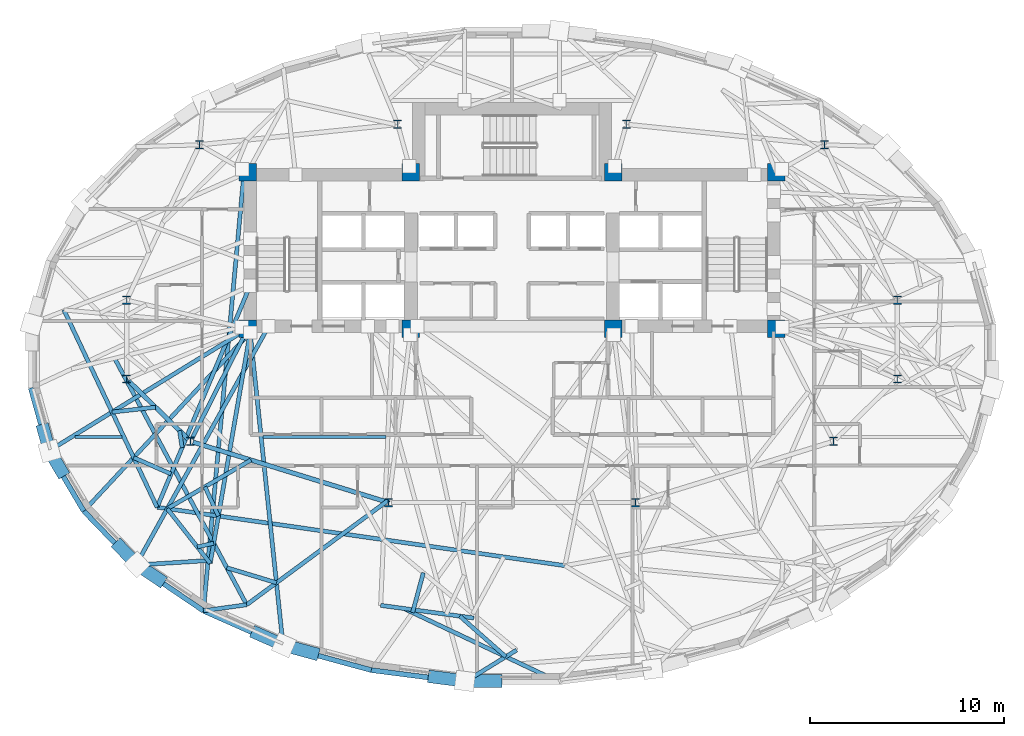
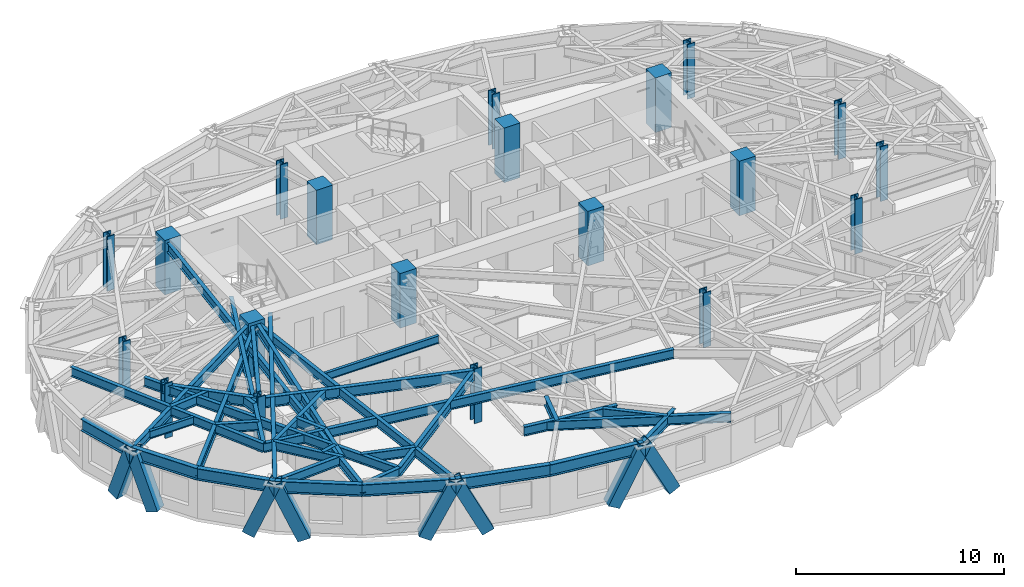
# One storey, part 1 of 15: 38 beams, 20 columns, 8 members.
"""IFC4 building model written with IfcOpenShell, lengths in metres."""

from ifc_helpers import new_model, si_unit, direction, frame, origin, origin_2d, place, context, subcontext, project, spatial, rectangle, hollow_rectangle, i_section, extrude, material, material_profile, profile_set, type_object, element, save


model = new_model("IFC4")

# Units and contexts
model_context = context("Model", 3, precision=1e-05, world=origin(), true_north=direction((0.0, 1.0)))
body_context = subcontext(model_context, "Body", "Model", "MODEL_VIEW")
ifc_project = project(units=[si_unit("LENGTHUNIT", "METRE"), si_unit("AREAUNIT", "SQUARE_METRE"), si_unit("VOLUMEUNIT", "CUBIC_METRE"), si_unit("PLANEANGLEUNIT", "RADIAN"), si_unit("MASSUNIT", "GRAM", prefix="KILO")], contexts=[model_context])

# Site, building, storey
site_placement = place(None, origin())
site = spatial("IfcSite", under=ifc_project, at=site_placement, CompositionType="ELEMENT")
building_placement = place(site_placement, origin())
building = spatial("IfcBuilding", under=site, at=building_placement, Name="Keldmark Tower", CompositionType="ELEMENT")
storey_placement = place(building_placement, frame((0.0, 0.0, 163.0)))
storey = spatial("IfcBuildingStorey", under=building, at=storey_placement, Name="L44", CompositionType="ELEMENT", Elevation=163.0)

# Columns
ifc_material_1 = material(Name="Concrete C50/60", Category="concrete")
ifc_material_profile_1 = material_profile(ifc_material_1, rectangle(XDim=0.89990234375, YDim=0.89990234375, at=origin_2d()), Name="RC900X900")
ifc_profile_set_1 = profile_set([ifc_material_profile_1], Name="Concrete C50/60")
column_type_1 = type_object("IfcColumnType", Name="Core Boundary Column RC900", PredefinedType="COLUMN", material=ifc_profile_set_1)
for number, where, z_axis, x_axis, name in (
    (1, (-13.60009765625, 1.39990234375, 0.0), (0.0, 0.0, 1.0), (1.0, 0.0, 0.0), "L44 Core Boundary Column CC-W1"),
    (2, (-13.60009765625, 9.449951171875, 0.0), (0.0, 0.0, 1.0), (1.0, 0.0, 0.0), "L44 Core Boundary Column CC-W2"),
    (3, (-5.199951171875, 1.39990234375, 0.0), (0.0, 0.0, 1.0), (1.0, 0.0, 0.0), "L44 Core Boundary Column CC-W3"),
    (4, (-5.199951171875, 9.449951171875, 0.0), (0.0, 0.0, 1.0), (1.0, 0.0, 0.0), "L44 Core Boundary Column CC-W4"),
    (5, (5.199951171875, 1.39990234375, 0.0), (0.0, 0.0, 1.0), (1.0, 0.0, 0.0), "L44 Core Boundary Column CC-E1"),
    (6, (5.199951171875, 9.449951171875, 0.0), (0.0, 0.0, 1.0), (1.0, 0.0, 0.0), "L44 Core Boundary Column CC-E2"),
    (7, (13.60009765625, 1.39990234375, 0.0), (0.0, 0.0, 1.0), (1.0, 0.0, 0.0), "L44 Core Boundary Column CC-E3"),
    (8, (13.60009765625, 9.449951171875, 0.0), (0.0, 0.0, 1.0), (1.0, 0.0, 0.0), "L44 Core Boundary Column CC-E4"),
):
    element("IfcColumn", number, at=place(storey_placement, frame(where, z_axis=z_axis, x_axis=x_axis)), inside=storey, type_object=column_type_1, Name=name, PredefinedType="COLUMN", context=body_context, shape_type="SweptSolid", body=[
        extrude(rectangle(XDim=0.89990234375, YDim=0.89990234375, at=origin_2d()), origin(), (0.0, 0.0, 1.0), 3.199951171875),
    ])
ifc_material_2 = material(Name="Steel ASTM A992 Grade 50", Category="steel")
ifc_material_profile_2 = material_profile(ifc_material_2, i_section(OverallWidth=0.412109375, OverallDepth=0.43505859375, WebThickness=0.035888671875, FlangeThickness=0.057373046875, at=origin_2d()), Name="W14X311")
ifc_profile_set_2 = profile_set([ifc_material_profile_2], Name="Steel ASTM A992 Grade 50")
column_type_2 = type_object("IfcColumnType", Name="Tower Gravity Column W14X311", PredefinedType="COLUMN", material=ifc_profile_set_2)
for number, where, z_axis, x_axis, name in (
    (9, (19.828369140625, 2.869140625, 0.0), (0.0, 0.0, 1.0), (1.0, 0.0, 0.0), "L44 Tower Gravity Column TC-E1"),
    (10, (16.08154296875, 10.861083984375, 0.0), (0.0, 0.0, 1.0), (1.0, 0.0, 0.0), "L44 Tower Gravity Column TC-E4"),
    (11, (5.880126953125, 11.915283203125, 0.0), (0.0, 0.0, 1.0), (1.0, 0.0, 0.0), "L44 Tower Gravity Column TC-N2"),
    (12, (-5.880126953125, 11.915283203125, 0.0), (0.0, 0.0, 1.0), (1.0, 0.0, 0.0), "L44 Tower Gravity Column TC-N1"),
    (13, (-16.08154296875, 10.861083984375, 0.0), (0.0, 0.0, 1.0), (1.0, 0.0, 0.0), "L44 Tower Gravity Column TC-W4"),
    (14, (-19.828369140625, 2.869140625, 0.0), (0.0, 0.0, 1.0), (1.0, 0.0, 0.0), "L44 Tower Gravity Column TC-W1"),
    (15, (-19.828369140625, -1.189208984375, 0.0), (0.0, 0.0, 1.0), (1.0, 0.0, 0.0), "L44 Tower Gravity Column TC-W5"),
    (16, (-16.546630859375, -4.3984375, 0.0), (0.0, 0.0, 1.0), (1.0, 0.0, 0.0), "L44 Tower Gravity Column TC-W2"),
    (17, (-6.351318359375, -7.546142578125, 0.0), (0.0, 0.0, 1.0), (1.0, 0.0, 0.0), "L44 Tower Gravity Column TC-W3"),
    (18, (6.351318359375, -7.546142578125, 0.0), (0.0, 0.0, 1.0), (1.0, 0.0, 0.0), "L44 Tower Gravity Column TC-E3"),
    (19, (16.546630859375, -4.3984375, 0.0), (0.0, 0.0, 1.0), (1.0, 0.0, 0.0), "L44 Tower Gravity Column TC-E2"),
    (20, (19.828369140625, -1.189208984375, 0.0), (0.0, 0.0, 1.0), (1.0, 0.0, 0.0), "L44 Tower Gravity Column TC-E5"),
):
    element("IfcColumn", number, at=place(storey_placement, frame(where, z_axis=z_axis, x_axis=x_axis)), inside=storey, type_object=column_type_2, Name=name, PredefinedType="COLUMN", context=body_context, shape_type="SweptSolid", body=[
        extrude(i_section(OverallWidth=0.412109375, OverallDepth=0.43505859375, WebThickness=0.035888671875, FlangeThickness=0.057373046875, at=origin_2d()), origin(), (0.0, 0.0, 1.0), 3.199951171875),
    ])

# Beams
ifc_material_3 = material(Name="Steel ASTM A992 Grade 50", Category="steel")
ifc_material_profile_3 = material_profile(ifc_material_3, i_section(OverallWidth=0.153076171875, OverallDepth=0.455078125, WebThickness=0.008056640625, FlangeThickness=0.01318359375, at=origin_2d()), Name="W18X40")
ifc_profile_set_3 = profile_set([ifc_material_profile_3], Name="Steel ASTM A992 Grade 50")
beam_type_1 = type_object("IfcBeamType", Name="Composite Floor Joist W18X40", PredefinedType="JOIST", material=ifc_profile_set_3)
beam_1_placement = place(storey_placement, frame((-22.488525390625, -4.179931640625, 2.79248046875), z_axis=(1.0, 0.0, 0.0), x_axis=(0.0, 1.0, 0.0)))
element("IfcBeam", 21, at=beam_1_placement, inside=storey, type_object=beam_type_1, Name="L44 Composite Floor Joist J01", PredefinedType="JOIST", context=body_context, shape_type="SweptSolid", body=[
    extrude(i_section(OverallWidth=0.153076171875, OverallDepth=0.455078125, WebThickness=0.008056640625, FlangeThickness=0.01318359375, at=origin_2d()), origin(), (0.0, 0.0, 1.0), 2.413330078125),
])
beam_2_placement = place(storey_placement, frame((-12.81298828125, -4.179931640625, 2.79248046875), z_axis=(1.0, 0.0, 0.0), x_axis=(0.0, 1.0, 0.0)))
element("IfcBeam", 22, at=beam_2_placement, inside=storey, type_object=beam_type_1, Name="L44 Composite Floor Joist J02", PredefinedType="JOIST", context=body_context, shape_type="SweptSolid", body=[
    extrude(i_section(OverallWidth=0.153076171875, OverallDepth=0.455078125, WebThickness=0.008056640625, FlangeThickness=0.01318359375, at=origin_2d()), origin(), (0.0, 0.0, 1.0), 6.324951171875),
])

# Members
ifc_material_4 = material(Name="Steel ASTM A572 Grade 50", Category="steel")
ifc_material_profile_4 = material_profile(ifc_material_4, hollow_rectangle(XDim=0.64990234375, YDim=0.64990234375, WallThickness=0.0400390625, at=origin_2d()), Name="BOX650X650X40")
ifc_profile_set_4 = profile_set([ifc_material_profile_4], Name="Steel ASTM A572 Grade 50")
member_type = type_object("IfcMemberType", Name="Diagrid Zone 3 Brace BOX650X650X40", PredefinedType="BRACE", material=ifc_profile_set_4)
member_1_placement = place(storey_placement, frame((-24.10009765625, -3.815673828125, -0.260009765625), z_axis=(0.090321139282, -0.323220128566, 0.94200363072), x_axis=(0.963103534488, 0.269131161067, 0.0)))
element("IfcMember", 23, at=member_1_placement, inside=storey, type_object=member_type, Name="L44 Perimeter Diagrid Brace 09A", PredefinedType="BRACE", context=body_context, shape_type="SweptSolid", body=[
    extrude(hollow_rectangle(XDim=0.64990234375, YDim=0.64990234375, WallThickness=0.0400390625, at=origin_2d()), origin(), (0.0, 0.0, 1.0), 3.3544921875),
])
member_2_placement = place(storey_placement, frame((-23.19287109375, -5.91455078125, -0.260009765625), z_axis=(-0.179634339939, 0.303896484951, 0.935616604357), x_axis=(-0.860853140724, -0.508853485894, 0.0)))
element("IfcMember", 24, at=member_2_placement, inside=storey, type_object=member_type, Name="L44 Perimeter Diagrid Brace 09B", PredefinedType="BRACE", context=body_context, shape_type="SweptSolid", body=[
    extrude(hollow_rectangle(XDim=0.64990234375, YDim=0.64990234375, WallThickness=0.0400390625, at=origin_2d()), origin(), (0.0, 0.0, 1.0), 3.37744140625),
])
member_3_placement = place(storey_placement, frame((-20.192626953125, -9.8095703125, -0.260009765625), z_axis=(0.26241195601, -0.271569188935, 0.925953638669), x_axis=(0.719127207078, 0.694878449832, 0.0)))
element("IfcMember", 25, at=member_3_placement, inside=storey, type_object=member_type, Name="L44 Perimeter Diagrid Brace 10A", PredefinedType="BRACE", context=body_context, shape_type="SweptSolid", body=[
    extrude(hollow_rectangle(XDim=0.64990234375, YDim=0.64990234375, WallThickness=0.0400390625, at=origin_2d()), origin(), (0.0, 0.0, 1.0), 3.41259765625),
])
member_4_placement = place(storey_placement, frame((-18.14697265625, -11.510498046875, -0.260009765625), z_axis=(-0.334729830569, 0.226898350424, 0.914589021967), x_axis=(-0.56109540076, -0.827751140891, 0.0)))
element("IfcMember", 26, at=member_4_placement, inside=storey, type_object=member_type, Name="L44 Perimeter Diagrid Brace 10B", PredefinedType="BRACE", context=body_context, shape_type="SweptSolid", body=[
    extrude(hollow_rectangle(XDim=0.64990234375, YDim=0.64990234375, WallThickness=0.0400390625, at=origin_2d()), origin(), (0.0, 0.0, 1.0), 3.455078125),
])
member_5_placement = place(storey_placement, frame((-13.10791015625, -14.28466796875, -0.260009765625), z_axis=(0.391062363127, -0.173603756202, 0.903842886777), x_axis=(0.405744700759, 0.913986453842, 0.0)))
element("IfcMember", 27, at=member_5_placement, inside=storey, type_object=member_type, Name="L44 Perimeter Diagrid Brace 11A", PredefinedType="BRACE", context=body_context, shape_type="SweptSolid", body=[
    extrude(hollow_rectangle(XDim=0.64990234375, YDim=0.64990234375, WallThickness=0.0400390625, at=origin_2d()), origin(), (0.0, 0.0, 1.0), 3.49609375),
])
member_6_placement = place(storey_placement, frame((-10.236572265625, -15.29638671875, -0.260009765625), z_axis=(-0.429127748845, 0.116537837293, 0.895694315964), x_axis=(-0.262076941922, -0.965046981506, 0.0)))
element("IfcMember", 28, at=member_6_placement, inside=storey, type_object=member_type, Name="L44 Perimeter Diagrid Brace 11B", PredefinedType="BRACE", context=body_context, shape_type="SweptSolid", body=[
    extrude(hollow_rectangle(XDim=0.64990234375, YDim=0.64990234375, WallThickness=0.0400390625, at=origin_2d()), origin(), (0.0, 0.0, 1.0), 3.52783203125),
])
member_7_placement = place(storey_placement, frame((-4.02099609375, -16.525390625, -0.260009765625), z_axis=(0.450780651387, -0.057878859209, 0.890756331435), x_axis=(0.127351493636, 0.991857649599, 0.0)))
element("IfcMember", 29, at=member_7_placement, inside=storey, type_object=member_type, Name="L44 Perimeter Diagrid Brace 12A", PredefinedType="BRACE", context=body_context, shape_type="SweptSolid", body=[
    extrude(hollow_rectangle(XDim=0.64990234375, YDim=0.64990234375, WallThickness=0.0400390625, at=origin_2d()), origin(), (0.0, 0.0, 1.0), 3.54736328125),
])
member_8_placement = place(storey_placement, frame((-0.80712890625, -16.728515625, -0.260009765625), z_axis=(-0.457597906554, 0.0, 0.889159241035), x_axis=(0.0, -1.0, 0.0)))
element("IfcMember", 30, at=member_8_placement, inside=storey, type_object=member_type, Name="L44 Perimeter Diagrid Brace 12B", PredefinedType="BRACE", context=body_context, shape_type="SweptSolid", body=[
    extrude(hollow_rectangle(XDim=0.64990234375, YDim=0.64990234375, WallThickness=0.0400390625, at=origin_2d()), origin(), (0.0, 0.0, 1.0), 3.5537109375),
])

# Beams
ifc_material_5 = material(Name="Steel ASTM A992 Grade 50", Category="steel")
ifc_material_profile_5 = material_profile(ifc_material_5, i_section(OverallWidth=0.22900390625, OverallDepth=0.612060546875, WebThickness=0.011962890625, FlangeThickness=0.01953125, at=origin_2d()), Name="W24X84")
ifc_profile_set_5 = profile_set([ifc_material_profile_5], Name="Steel ASTM A992 Grade 50")
beam_type_2 = type_object("IfcBeamType", Name="Primary Floor Girder W24X84", PredefinedType="BEAM", material=ifc_profile_set_5)
beam_3_placement = place(storey_placement, frame((-19.728271484375, -1.287109375, 2.714111328125), z_axis=(0.714964509815, -0.699160746684, 0.0), x_axis=(0.699160746684, 0.714964509815, 0.0)))
element("IfcBeam", 31, at=beam_3_placement, inside=storey, type_object=beam_type_2, Name="L44 Floor Ring Girder FG-R07", PredefinedType="BEAM", context=body_context, shape_type="SweptSolid", body=[
    extrude(i_section(OverallWidth=0.22900390625, OverallDepth=0.612060546875, WebThickness=0.011962890625, FlangeThickness=0.01953125, at=origin_2d()), origin(), (0.0, 0.0, 1.0), 4.31005859375),
])
beam_4_placement = place(storey_placement, frame((-16.412841796875, -4.439697265625, 2.714111328125), z_axis=(0.955494563145, -0.295008711398, 0.0), x_axis=(0.295008711398, 0.955494563145, 0.0)))
element("IfcBeam", 32, at=beam_4_placement, inside=storey, type_object=beam_type_2, Name="L44 Floor Ring Girder FG-R08", PredefinedType="BEAM", context=body_context, shape_type="SweptSolid", body=[
    extrude(i_section(OverallWidth=0.22900390625, OverallDepth=0.612060546875, WebThickness=0.011962890625, FlangeThickness=0.01953125, at=origin_2d()), origin(), (0.0, 0.0, 1.0), 10.39013671875),
])
ifc_material_6 = material(Name="Steel ASTM A992 Grade 50", Category="steel")
ifc_material_profile_6 = material_profile(ifc_material_6, i_section(OverallWidth=0.2099609375, OverallDepth=0.537109375, WebThickness=0.010986328125, FlangeThickness=0.017333984375, at=origin_2d()), Name="W21X68")
ifc_profile_set_6 = profile_set([ifc_material_profile_6], Name="Steel ASTM A992 Grade 50")
beam_type_3 = type_object("IfcBeamType", Name="Radial Tie Girder W21X68", PredefinedType="BEAM", material=ifc_profile_set_6)
beam_5_placement = place(storey_placement, frame((-16.4833984375, -4.273681640625, 2.75146484375), z_axis=(0.453036691775, 0.891491870914, 0.0), x_axis=(-0.891491870914, 0.453036691775, 0.0)))
element("IfcBeam", 33, at=beam_5_placement, inside=storey, type_object=beam_type_3, Name="L44 Floor Radial Girder FG-C08", PredefinedType="BEAM", context=body_context, shape_type="SweptSolid", body=[
    extrude(i_section(OverallWidth=0.2099609375, OverallDepth=0.537109375, WebThickness=0.010986328125, FlangeThickness=0.017333984375, at=origin_2d()), origin(), (0.0, 0.0, 1.0), 6.044189453125),
])
beam_6_placement = place(storey_placement, frame((-17.10888671875, -3.8486328125, 2.75146484375), z_axis=(0.151059193006, -0.988524719068, 0.0), x_axis=(0.988524719068, 0.151059193006, 0.0)))
element("IfcBeam", 34, at=beam_6_placement, inside=storey, type_object=beam_type_3, Name="L44 Framing Pin Header PH-006", PredefinedType="BEAM", context=body_context, shape_type="SweptSolid", body=[
    extrude(i_section(OverallWidth=0.2099609375, OverallDepth=0.537109375, WebThickness=0.010986328125, FlangeThickness=0.017333984375, at=origin_2d()), origin(), (0.0, 0.0, 1.0), 0.88232421875),
])
beam_7_placement = place(storey_placement, frame((-13.47509765625, 3.6142578125, 2.75146484375), z_axis=(-0.387184823209, -0.922002121839, 0.0), x_axis=(0.922002121839, -0.387184823209, 0.0)))
element("IfcBeam", 35, at=beam_7_placement, inside=storey, type_object=beam_type_3, Name="L44 Sub-Ring Step Girder STP2-M08", PredefinedType="BEAM", context=body_context, shape_type="SweptSolid", body=[
    extrude(i_section(OverallWidth=0.2099609375, OverallDepth=0.537109375, WebThickness=0.010986328125, FlangeThickness=0.017333984375, at=origin_2d()), origin(), (0.0, 0.0, 1.0), 12.366455078125),
])
beam_8_placement = place(storey_placement, frame((-23.061767578125, 2.364013671875, 2.75146484375), z_axis=(0.42735344436, -0.904084638512, 0.0), x_axis=(0.904084638512, 0.42735344436, 0.0)))
element("IfcBeam", 36, at=beam_8_placement, inside=storey, type_object=beam_type_3, Name="L44 Perimeter Collector Ring Beam CRG2-M07", PredefinedType="BEAM", context=body_context, shape_type="SweptSolid", body=[
    extrude(i_section(OverallWidth=0.2099609375, OverallDepth=0.537109375, WebThickness=0.010986328125, FlangeThickness=0.017333984375, at=origin_2d()), origin(), (0.0, 0.0, 1.0), 11.228515625),
])
beam_9_placement = place(storey_placement, frame((-18.26318359375, -7.78759765625, 2.75146484375), z_axis=(0.989880746526, -0.141901753539, 0.0), x_axis=(0.141901753539, 0.989880746526, 0.0)))
element("IfcBeam", 37, at=beam_9_placement, inside=storey, type_object=beam_type_3, Name="L44 Perimeter Collector Ring Beam CRG2-M08", PredefinedType="BEAM", context=body_context, shape_type="SweptSolid", body=[
    extrude(i_section(OverallWidth=0.2099609375, OverallDepth=0.537109375, WebThickness=0.010986328125, FlangeThickness=0.017333984375, at=origin_2d()), origin(), (0.0, 0.0, 1.0), 21.20166015625),
])
beam_10_placement = place(storey_placement, frame((-18.341552734375, -2.643310546875, 2.75146484375), z_axis=(-0.993966802091, -0.109681339982, 0.0), x_axis=(0.109681339982, -0.993966802091, 0.0)))
element("IfcBeam", 38, at=beam_10_placement, inside=storey, type_object=beam_type_3, Name="L44 Framing Pin Header PH-015", PredefinedType="BEAM", context=body_context, shape_type="SweptSolid", body=[
    extrude(i_section(OverallWidth=0.2099609375, OverallDepth=0.537109375, WebThickness=0.010986328125, FlangeThickness=0.017333984375, at=origin_2d()), origin(), (0.0, 0.0, 1.0), 2.25048828125),
])
beam_11_placement = place(storey_placement, frame((-13.60009765625, 1.39990234375, 2.75146484375), z_axis=(-0.851889377542, -0.523721766237, 0.0), x_axis=(0.523721766237, -0.851889377542, 0.0)))
element("IfcBeam", 39, at=beam_11_placement, inside=storey, type_object=beam_type_3, Name="L44 Perimeter Radial Tie Girder RT-18", PredefinedType="BEAM", context=body_context, shape_type="SweptSolid", body=[
    extrude(i_section(OverallWidth=0.2099609375, OverallDepth=0.537109375, WebThickness=0.010986328125, FlangeThickness=0.017333984375, at=origin_2d()), origin(), (0.0, 0.0, 1.0), 12.0400390625),
])
beam_12_placement = place(storey_placement, frame((-17.545166015625, -6.077392578125, 2.75146484375), z_axis=(-0.915749251717, 0.401750305513, 0.0), x_axis=(-0.401750305513, -0.915749251717, 0.0)))
element("IfcBeam", 40, at=beam_12_placement, inside=storey, type_object=beam_type_3, Name="L44 Framing Pin Header PH-016", PredefinedType="BEAM", context=body_context, shape_type="SweptSolid", body=[
    extrude(i_section(OverallWidth=0.2099609375, OverallDepth=0.537109375, WebThickness=0.010986328125, FlangeThickness=0.017333984375, at=origin_2d()), origin(), (0.0, 0.0, 1.0), 2.103271484375),
])
beam_13_placement = place(storey_placement, frame((-13.47509765625, 1.199951171875, 2.75146484375), z_axis=(-0.68187128717, -0.731472178372, 0.0), x_axis=(0.731472178372, -0.68187128717, 0.0)))
element("IfcBeam", 41, at=beam_13_placement, inside=storey, type_object=beam_type_3, Name="L44 Perimeter Radial Tie Girder RT-19", PredefinedType="BEAM", context=body_context, shape_type="SweptSolid", body=[
    extrude(i_section(OverallWidth=0.2099609375, OverallDepth=0.537109375, WebThickness=0.010986328125, FlangeThickness=0.017333984375, at=origin_2d()), origin(), (0.0, 0.0, 1.0), 12.556396484375),
])
beam_14_placement = place(storey_placement, frame((-13.4345703125, -5.359375, 2.75146484375), z_axis=(-0.86439716322, -0.502809650083, 0.0), x_axis=(0.502809650083, -0.86439716322, 0.0)))
element("IfcBeam", 42, at=beam_14_placement, inside=storey, type_object=beam_type_3, Name="L44 Framing Pin Header PH-017", PredefinedType="BEAM", context=body_context, shape_type="SweptSolid", body=[
    extrude(i_section(OverallWidth=0.2099609375, OverallDepth=0.537109375, WebThickness=0.010986328125, FlangeThickness=0.017333984375, at=origin_2d()), origin(), (0.0, 0.0, 1.0), 4.978759765625),
])
beam_15_placement = place(storey_placement, frame((-12.52490234375, 1.52490234375, 2.75146484375), z_axis=(-0.485502839655, -0.874235090057, 0.0), x_axis=(0.874235090057, -0.485502839655, 0.0)))
element("IfcBeam", 43, at=beam_15_placement, inside=storey, type_object=beam_type_3, Name="L44 Perimeter Radial Tie Girder RT-20", PredefinedType="BEAM", context=body_context, shape_type="SweptSolid", body=[
    extrude(i_section(OverallWidth=0.2099609375, OverallDepth=0.537109375, WebThickness=0.010986328125, FlangeThickness=0.017333984375, at=origin_2d()), origin(), (0.0, 0.0, 1.0), 14.057373046875),
])
beam_16_placement = place(storey_placement, frame((-15.801513671875, -6.736083984375, 2.75146484375), z_axis=(0.418497022702, -0.908218168718, 0.0), x_axis=(0.908218168718, 0.418497022702, 0.0)))
element("IfcBeam", 44, at=beam_16_placement, inside=storey, type_object=beam_type_3, Name="L44 Framing Pin Header PH-018", PredefinedType="BEAM", context=body_context, shape_type="SweptSolid", body=[
    extrude(i_section(OverallWidth=0.2099609375, OverallDepth=0.537109375, WebThickness=0.010986328125, FlangeThickness=0.017333984375, at=origin_2d()), origin(), (0.0, 0.0, 1.0), 1.655517578125),
])
beam_17_placement = place(storey_placement, frame((-13.47509765625, 1.199951171875, 2.75146484375), z_axis=(-0.170520248279, -0.985354172329, 0.0), x_axis=(0.985354172329, -0.170520248279, 0.0)))
element("IfcBeam", 45, at=beam_17_placement, inside=storey, type_object=beam_type_3, Name="L44 Intermediate Radial Step Girder RT-21M", PredefinedType="BEAM", context=body_context, shape_type="SweptSolid", body=[
    extrude(i_section(OverallWidth=0.2099609375, OverallDepth=0.537109375, WebThickness=0.010986328125, FlangeThickness=0.017333984375, at=origin_2d()), origin(), (0.0, 0.0, 1.0), 12.049560546875),
])
beam_18_placement = place(storey_placement, frame((-17.73828125, -7.86279296875, 2.75146484375), z_axis=(0.617890932331, -0.786263820701, 0.0), x_axis=(0.786263820701, 0.617890932331, 0.0)))
element("IfcBeam", 46, at=beam_18_placement, inside=storey, type_object=beam_type_3, Name="L44 Local Collector Chord RT-21C", PredefinedType="BEAM", context=body_context, shape_type="SweptSolid", body=[
    extrude(i_section(OverallWidth=0.2099609375, OverallDepth=0.537109375, WebThickness=0.010986328125, FlangeThickness=0.017333984375, at=origin_2d()), origin(), (0.0, 0.0, 1.0), 3.57421875),
])
beam_19_placement = place(storey_placement, frame((-19.349853515625, -10.7646484375, 2.75146484375), z_axis=(0.998042853963, 0.06253368415, 0.0), x_axis=(-0.06253368415, 0.998042853963, 0.0)))
element("IfcBeam", 47, at=beam_19_placement, inside=storey, type_object=beam_type_3, Name="L44 Framing Pin Header PH-019", PredefinedType="BEAM", context=body_context, shape_type="SweptSolid", body=[
    extrude(i_section(OverallWidth=0.2099609375, OverallDepth=0.537109375, WebThickness=0.010986328125, FlangeThickness=0.017333984375, at=origin_2d()), origin(), (0.0, 0.0, 1.0), 3.716796875),
])
beam_20_placement = place(storey_placement, frame((-13.800048828125, 9.324951171875, 2.75146484375), z_axis=(-0.092281945607, -0.99573291726, 0.0), x_axis=(0.99573291726, -0.092281945607, 0.0)))
element("IfcBeam", 48, at=beam_20_placement, inside=storey, type_object=beam_type_3, Name="L44 Perimeter Radial Tie Girder RT-21", PredefinedType="BEAM", context=body_context, shape_type="SweptSolid", body=[
    extrude(i_section(OverallWidth=0.2099609375, OverallDepth=0.537109375, WebThickness=0.010986328125, FlangeThickness=0.017333984375, at=origin_2d()), origin(), (0.0, 0.0, 1.0), 22.537841796875),
])
beam_21_placement = place(storey_placement, frame((-16.1923828125, -9.830078125, 2.75146484375), z_axis=(0.975279944922, 0.220972914704, 0.0), x_axis=(-0.220972914704, 0.975279944922, 0.0)))
element("IfcBeam", 49, at=beam_21_placement, inside=storey, type_object=beam_type_3, Name="L44 Framing Pin Header PH-020", PredefinedType="BEAM", context=body_context, shape_type="SweptSolid", body=[
    extrude(i_section(OverallWidth=0.2099609375, OverallDepth=0.537109375, WebThickness=0.010986328125, FlangeThickness=0.017333984375, at=origin_2d()), origin(), (0.0, 0.0, 1.0), 0.86279296875),
])
beam_22_placement = place(storey_placement, frame((-20.449462890625, -0.123779296875, 2.75146484375), z_axis=(0.472291573238, -0.881442380334, 0.0), x_axis=(0.881442380334, 0.472291573238, 0.0)))
element("IfcBeam", 50, at=beam_22_placement, inside=storey, type_object=beam_type_3, Name="L44 Intermediate Radial Step Girder RT-22M", PredefinedType="BEAM", context=body_context, shape_type="SweptSolid", body=[
    extrude(i_section(OverallWidth=0.2099609375, OverallDepth=0.537109375, WebThickness=0.010986328125, FlangeThickness=0.017333984375, at=origin_2d()), origin(), (0.0, 0.0, 1.0), 14.3876953125),
])
beam_23_placement = place(storey_placement, frame((-15.8798828125, -13.11669921875, 2.75146484375), z_axis=(0.990375132926, 0.138409161842, 0.0), x_axis=(-0.138409161842, 0.990375132926, 0.0)))
element("IfcBeam", 51, at=beam_23_placement, inside=storey, type_object=beam_type_3, Name="L44 Local Collector Chord RT-22C", PredefinedType="BEAM", context=body_context, shape_type="SweptSolid", body=[
    extrude(i_section(OverallWidth=0.2099609375, OverallDepth=0.537109375, WebThickness=0.010986328125, FlangeThickness=0.017333984375, at=origin_2d()), origin(), (0.0, 0.0, 1.0), 2.247314453125),
])
beam_24_placement = place(storey_placement, frame((-6.759033203125, -12.83837890625, 2.75146484375), z_axis=(0.99089057822, -0.134669454571, 0.0), x_axis=(0.134669454571, 0.99089057822, 0.0)))
element("IfcBeam", 52, at=beam_24_placement, inside=storey, type_object=beam_type_3, Name="L44 Local Collector Chord RT-24C", PredefinedType="BEAM", context=body_context, shape_type="SweptSolid", body=[
    extrude(i_section(OverallWidth=0.2099609375, OverallDepth=0.537109375, WebThickness=0.010986328125, FlangeThickness=0.017333984375, at=origin_2d()), origin(), (0.0, 0.0, 1.0), 4.836669921875),
])
beam_25_placement = place(storey_placement, frame((-2.439208984375, -16.7880859375, 2.75146484375), z_axis=(0.851276700656, 0.524717046531, 0.0), x_axis=(-0.524717046531, 0.851276700656, 0.0)))
element("IfcBeam", 53, at=beam_25_placement, inside=storey, type_object=beam_type_3, Name="L44 Local Collector Chord RT-25C", PredefinedType="BEAM", context=body_context, shape_type="SweptSolid", body=[
    extrude(i_section(OverallWidth=0.2099609375, OverallDepth=0.537109375, WebThickness=0.010986328125, FlangeThickness=0.017333984375, at=origin_2d()), origin(), (0.0, 0.0, 1.0), 3.14306640625),
])
beam_26_placement = place(storey_placement, frame((-2.685302734375, -13.39208984375, 2.75146484375), z_axis=(0.749386209954, -0.662133150001, 0.0), x_axis=(0.662133150001, 0.749386209954, 0.0)))
element("IfcBeam", 54, at=beam_26_placement, inside=storey, type_object=beam_type_3, Name="L44 Framing Pin Header PH-025", PredefinedType="BEAM", context=body_context, shape_type="SweptSolid", body=[
    extrude(i_section(OverallWidth=0.2099609375, OverallDepth=0.537109375, WebThickness=0.010986328125, FlangeThickness=0.017333984375, at=origin_2d()), origin(), (0.0, 0.0, 1.0), 3.15625),
])
beam_27_placement = place(storey_placement, frame((-5.560791015625, -13.001220703125, 2.75146484375), z_axis=(0.903851822257, -0.427845630342, 0.0), x_axis=(0.427845630342, 0.903851822257, 0.0)))
element("IfcBeam", 55, at=beam_27_placement, inside=storey, type_object=beam_type_3, Name="L44 Perimeter Radial Tie Girder RT-25", PredefinedType="BEAM", context=body_context, shape_type="SweptSolid", body=[
    extrude(i_section(OverallWidth=0.2099609375, OverallDepth=0.537109375, WebThickness=0.010986328125, FlangeThickness=0.017333984375, at=origin_2d()), origin(), (0.0, 0.0, 1.0), 8.85107421875),
])
beam_28_placement = place(storey_placement, frame((-13.654296875, -12.8056640625, 2.75146484375), z_axis=(0.804846658132, 0.593482819375, 0.0), x_axis=(-0.593482819375, 0.804846658132, 0.0)))
element("IfcBeam", 56, at=beam_28_placement, inside=storey, type_object=beam_type_3, Name="L44 Straddling Support Chord RT-22RB", PredefinedType="BEAM", context=body_context, shape_type="SweptSolid", body=[
    extrude(i_section(OverallWidth=0.2099609375, OverallDepth=0.537109375, WebThickness=0.010986328125, FlangeThickness=0.017333984375, at=origin_2d()), origin(), (0.0, 0.0, 1.0), 9.09619140625),
])
beam_29_placement = place(storey_placement, frame((-14.673583984375, -10.9033203125, 2.75146484375), z_axis=(0.957132932409, -0.289649011214, 0.0), x_axis=(0.289649011214, 0.957132932409, 0.0)))
element("IfcBeam", 57, at=beam_29_placement, inside=storey, type_object=beam_type_3, Name="L44 Framing Pin Header PH-040", PredefinedType="BEAM", context=body_context, shape_type="SweptSolid", body=[
    extrude(i_section(OverallWidth=0.2099609375, OverallDepth=0.537109375, WebThickness=0.010986328125, FlangeThickness=0.017333984375, at=origin_2d()), origin(), (0.0, 0.0, 1.0), 2.666015625),
])
beam_30_placement = place(storey_placement, frame((-13.47509765625, 1.199951171875, 2.75146484375), z_axis=(0.104535977391, -0.994521105573, 0.0), x_axis=(0.994521105573, 0.104535977391, 0.0)))
element("IfcBeam", 58, at=beam_30_placement, inside=storey, type_object=beam_type_3, Name="L44 Perimeter Radial Tie Girder RT-22R", PredefinedType="BEAM", context=body_context, shape_type="SweptSolid", body=[
    extrude(i_section(OverallWidth=0.2099609375, OverallDepth=0.537109375, WebThickness=0.010986328125, FlangeThickness=0.017333984375, at=origin_2d()), origin(), (0.0, 0.0, 1.0), 16.226806640625),
])
beam_31_placement = place(storey_placement, frame((-4.56005859375, -11.161865234375, 2.75146484375), z_axis=(-0.262446171784, -0.964946634232, 0.0), x_axis=(0.964946634232, -0.262446171784, 0.0)))
element("IfcBeam", 59, at=beam_31_placement, inside=storey, type_object=beam_type_3, Name="L44 Framing Pin Header PH-041", PredefinedType="BEAM", context=body_context, shape_type="SweptSolid", body=[
    extrude(i_section(OverallWidth=0.2099609375, OverallDepth=0.537109375, WebThickness=0.010986328125, FlangeThickness=0.017333984375, at=origin_2d()), origin(), (0.0, 0.0, 1.0), 2.123779296875),
])
ifc_material_7 = material(Name="Steel ASTM A992 Grade 50", Category="steel")
ifc_material_profile_7 = material_profile(ifc_material_7, i_section(OverallWidth=0.256103515625, OverallDepth=0.693115234375, WebThickness=0.014404296875, FlangeThickness=0.023681640625, at=origin_2d()), Name="W27X114")
ifc_profile_set_7 = profile_set([ifc_material_profile_7], Name="Steel ASTM A992 Grade 50")
beam_type_4 = type_object("IfcBeamType", Name="Spandrel Ring Beam W27X114", PredefinedType="SPANDREL", material=ifc_profile_set_7)
beam_32_placement = place(storey_placement, frame((-24.76611328125, -1.653564453125, 2.673583984375), z_axis=(0.269235699479, -0.963074315993, 0.0), x_axis=(0.963074315993, 0.269235699479, 0.0)))
element("IfcBeam", 60, at=beam_32_placement, inside=storey, type_object=beam_type_4, Name="L44 Perimeter Spandrel Ring Beam SRB-17", PredefinedType="SPANDREL", context=body_context, shape_type="SweptSolid", body=[
    extrude(i_section(OverallWidth=0.256103515625, OverallDepth=0.693115234375, WebThickness=0.014404296875, FlangeThickness=0.023681640625, at=origin_2d()), origin(), (0.0, 0.0, 1.0), 3.376953125),
])
beam_33_placement = place(storey_placement, frame((-23.85693359375, -4.90576171875, 2.673583984375), z_axis=(0.508883387051, -0.860835465338, 0.0), x_axis=(0.860835465338, 0.508883387051, 0.0)))
element("IfcBeam", 61, at=beam_33_placement, inside=storey, type_object=beam_type_4, Name="L44 Perimeter Spandrel Ring Beam SRB-18", PredefinedType="SPANDREL", context=body_context, shape_type="SweptSolid", body=[
    extrude(i_section(OverallWidth=0.256103515625, OverallDepth=0.693115234375, WebThickness=0.014404296875, FlangeThickness=0.023681640625, at=origin_2d()), origin(), (0.0, 0.0, 1.0), 3.57666015625),
])
beam_34_placement = place(storey_placement, frame((-22.036865234375, -7.984619140625, 2.673583984375), z_axis=(0.694975307772, -0.719033602544, 0.0), x_axis=(0.719033602544, 0.694975307772, 0.0)))
element("IfcBeam", 62, at=beam_34_placement, inside=storey, type_object=beam_type_4, Name="L44 Perimeter Spandrel Ring Beam SRB-19", PredefinedType="SPANDREL", context=body_context, shape_type="SweptSolid", body=[
    extrude(i_section(OverallWidth=0.256103515625, OverallDepth=0.693115234375, WebThickness=0.014404296875, FlangeThickness=0.023681640625, at=origin_2d()), origin(), (0.0, 0.0, 1.0), 3.866455078125),
])
beam_35_placement = place(storey_placement, frame((-19.349853515625, -10.7646484375, 2.673583984375), z_axis=(0.827760762475, -0.561081206338, 0.0), x_axis=(0.561081206338, 0.827760762475, 0.0)))
element("IfcBeam", 63, at=beam_35_placement, inside=storey, type_object=beam_type_4, Name="L44 Perimeter Spandrel Ring Beam SRB-20", PredefinedType="SPANDREL", context=body_context, shape_type="SweptSolid", body=[
    extrude(i_section(OverallWidth=0.256103515625, OverallDepth=0.693115234375, WebThickness=0.014404296875, FlangeThickness=0.023681640625, at=origin_2d()), origin(), (0.0, 0.0, 1.0), 4.19189453125),
])
beam_36_placement = place(storey_placement, frame((-15.8798828125, -13.11669921875, 2.673583984375), z_axis=(0.913928177397, -0.405875949719, 0.0), x_axis=(0.405875949719, 0.913928177397, 0.0)))
element("IfcBeam", 64, at=beam_36_placement, inside=storey, type_object=beam_type_4, Name="L44 Perimeter Spandrel Ring Beam SRB-21", PredefinedType="SPANDREL", context=body_context, shape_type="SweptSolid", body=[
    extrude(i_section(OverallWidth=0.256103515625, OverallDepth=0.693115234375, WebThickness=0.014404296875, FlangeThickness=0.023681640625, at=origin_2d()), origin(), (0.0, 0.0, 1.0), 4.4873046875),
])
beam_37_placement = place(storey_placement, frame((-11.77880859375, -14.93798828125, 2.673583984375), z_axis=(0.965024302167, -0.26216043986, 0.0), x_axis=(0.26216043986, 0.965024302167, 0.0)))
element("IfcBeam", 65, at=beam_37_placement, inside=storey, type_object=beam_type_4, Name="L44 Perimeter Spandrel Ring Beam SRB-22", PredefinedType="SPANDREL", context=body_context, shape_type="SweptSolid", body=[
    extrude(i_section(OverallWidth=0.256103515625, OverallDepth=0.693115234375, WebThickness=0.014404296875, FlangeThickness=0.023681640625, at=origin_2d()), origin(), (0.0, 0.0, 1.0), 4.70654296875),
])
beam_38_placement = place(storey_placement, frame((-7.23681640625, -16.171875, 2.673583984375), z_axis=(0.991852091732, -0.127394772761, 0.0), x_axis=(0.127394772761, 0.991852091732, 0.0)))
element("IfcBeam", 66, at=beam_38_placement, inside=storey, type_object=beam_type_4, Name="L44 Perimeter Spandrel Ring Beam SRB-23", PredefinedType="SPANDREL", context=body_context, shape_type="SweptSolid", body=[
    extrude(i_section(OverallWidth=0.256103515625, OverallDepth=0.693115234375, WebThickness=0.014404296875, FlangeThickness=0.023681640625, at=origin_2d()), origin(), (0.0, 0.0, 1.0), 4.8369140625),
])

save(model, "model.ifc")
